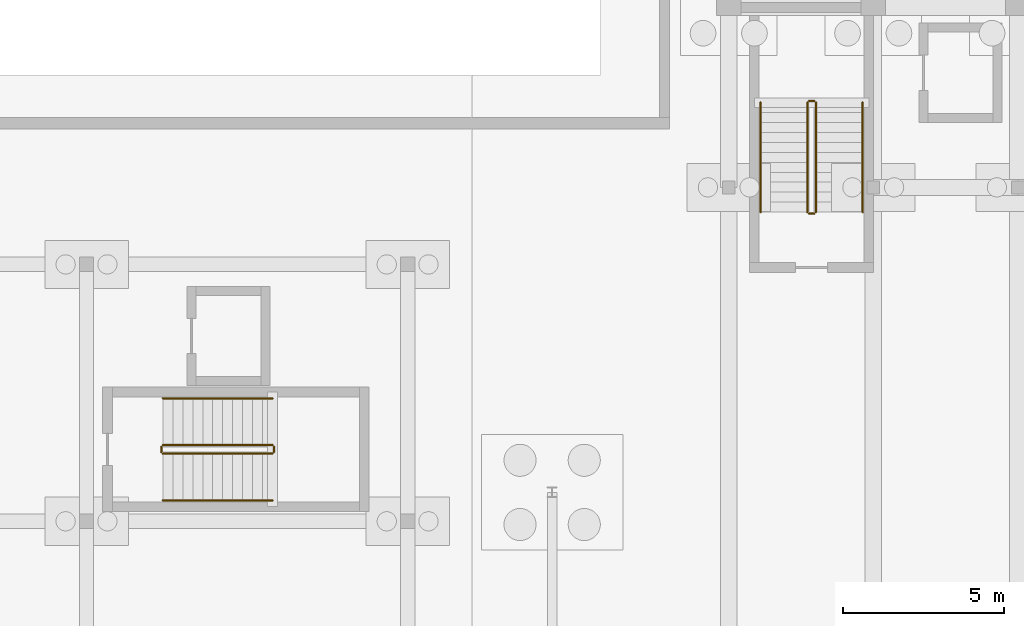
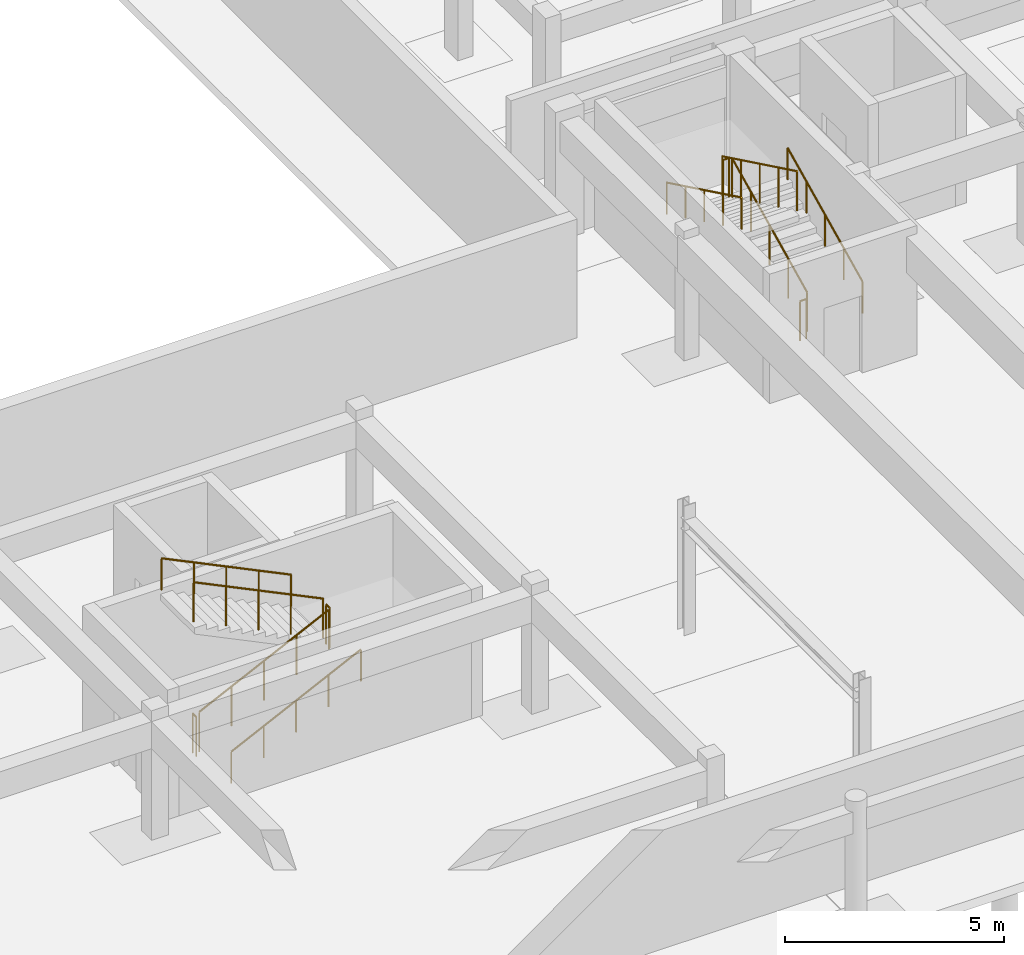
# One storey, part 25 of 32: 12 railings.
"""IFC4 building model written with IfcOpenShell, lengths in metres."""

from ifc_helpers import new_model, si_unit, direction, frame, origin, origin_2d, place, context, subcontext, project, spatial, circle, extrude, material, type_object, element, save


model = new_model("IFC4")

# Units and contexts
model_context = context("Model", 3, precision=1e-05, world=origin(), true_north=direction((0.0, 1.0)))
body_context = subcontext(model_context, "Body", "Model", "MODEL_VIEW")
ifc_project = project(units=[si_unit("LENGTHUNIT", "METRE"), si_unit("AREAUNIT", "SQUARE_METRE"), si_unit("VOLUMEUNIT", "CUBIC_METRE"), si_unit("PLANEANGLEUNIT", "RADIAN"), si_unit("MASSUNIT", "GRAM", prefix="KILO")], contexts=[model_context])

# Site, building, storey
site_placement = place(None, origin())
site = spatial("IfcSite", under=ifc_project, at=site_placement, CompositionType="ELEMENT")
building_placement = place(site_placement, origin())
building = spatial("IfcBuilding", under=site, at=building_placement, Name="Zimvara Arc Housing Community", CompositionType="ELEMENT")
storey_placement = place(building_placement, frame((0.0, 0.0, -3.60009765625)))
storey = spatial("IfcBuildingStorey", under=building, at=storey_placement, Name="B1", CompositionType="ELEMENT", Elevation=-3.60009765625)

# Railings
ifc_material_1 = material(Name="Anodised Aluminium AW-6063", Category="aluminium")
railing_type_1 = type_object("IfcRailingType", Name="RLG-BAL-1120", PredefinedType="BALUSTRADE", material=ifc_material_1)
railing_1_placement = place(storey_placement, frame((70.7099609375, 21.22998046875, 0.150146484375)))
element("IfcRailing", 1, at=railing_1_placement, inside=storey, type_object=railing_type_1, Name="B1 ST-H1 stair guard 1", PredefinedType="BALUSTRADE", context=body_context, shape_type="SweptSolid", body=[
    extrude(circle(Radius=0.02392578125, at=origin_2d()), frame((0.0, 0.0, 1.09619140625), z_axis=(0.0, 0.900164957231, 0.435549135889), x_axis=(-1.0, 0.0, 0.0)), (0.0, 0.0, 1.0), 3.7880859375),
    extrude(circle(Radius=0.02099609375, at=origin_2d()), origin(), (0.0, 0.0, 1.0), 1.072021484375),
    extrude(circle(Radius=0.02099609375, at=origin_2d()), frame((0.0, 0.8525390625, 0.41259765625)), (0.0, 0.0, 1.0), 1.072021484375),
    extrude(circle(Radius=0.02099609375, at=origin_2d()), frame((0.0, 1.705078125, 0.824951171875)), (0.0, 0.0, 1.0), 1.072021484375),
    extrude(circle(Radius=0.02099609375, at=origin_2d()), frame((0.0, 2.557373046875, 1.2373046875)), (0.0, 0.0, 1.0), 1.072021484375),
    extrude(circle(Radius=0.02099609375, at=origin_2d()), frame((0.0, 3.409912109375, 1.64990234375)), (0.0, 0.0, 1.0), 1.072021484375),
])
railing_2_placement = place(storey_placement, frame((70.659912109375, 24.68994140625, 1.800048828125)))
element("IfcRailing", 2, at=railing_2_placement, inside=storey, type_object=railing_type_1, Name="B1 ST-H1 stair guard 2", PredefinedType="BALUSTRADE", context=body_context, shape_type="SweptSolid", body=[
    extrude(circle(Radius=0.02392578125, at=origin_2d()), frame((0.0, 0.0, 1.09619140625), z_axis=(-1.0, 0.0, 0.0), x_axis=(0.0, -1.0, 0.0)), (0.0, 0.0, 1.0), 0.159912109375),
    extrude(circle(Radius=0.02099609375, at=origin_2d()), origin(), (0.0, 0.0, 1.0), 1.072021484375),
    extrude(circle(Radius=0.02099609375, at=origin_2d()), frame((-0.159912109375, 0.0, 0.0)), (0.0, 0.0, 1.0), 1.072021484375),
])
railing_3_placement = place(storey_placement, frame((70.449951171875, 24.639892578125, 1.9501953125)))
element("IfcRailing", 3, at=railing_3_placement, inside=storey, type_object=railing_type_1, Name="B1 ST-H1 stair guard 3", PredefinedType="BALUSTRADE", context=body_context, shape_type="SweptSolid", body=[
    extrude(circle(Radius=0.02392578125, at=origin_2d()), frame((0.0, 0.0, 1.09619140625), z_axis=(0.0, -0.900164957231, 0.435549135889), x_axis=(1.0, 0.0, 0.0)), (0.0, 0.0, 1.0), 3.7880859375),
    extrude(circle(Radius=0.02099609375, at=origin_2d()), origin(), (0.0, 0.0, 1.0), 1.072021484375),
    extrude(circle(Radius=0.02099609375, at=origin_2d()), frame((0.0, -0.8525390625, 0.41259765625)), (0.0, 0.0, 1.0), 1.072021484375),
    extrude(circle(Radius=0.02099609375, at=origin_2d()), frame((0.0, -1.705078125, 0.824951171875)), (0.0, 0.0, 1.0), 1.072021484375),
    extrude(circle(Radius=0.02099609375, at=origin_2d()), frame((0.0, -2.557373046875, 1.2373046875)), (0.0, 0.0, 1.0), 1.072021484375),
    extrude(circle(Radius=0.02099609375, at=origin_2d()), frame((0.0, -3.409912109375, 1.64990234375)), (0.0, 0.0, 1.0), 1.072021484375),
])
railing_4_placement = place(storey_placement, frame((70.659912109375, 21.179931640625, 0.0)))
element("IfcRailing", 4, at=railing_4_placement, inside=storey, type_object=railing_type_1, Name="B1 ST-H1 stair guard 4", PredefinedType="BALUSTRADE", context=body_context, shape_type="SweptSolid", body=[
    extrude(circle(Radius=0.02392578125, at=origin_2d()), frame((0.0, 0.0, 1.09619140625), z_axis=(-1.0, 0.0, 0.0), x_axis=(0.0, -1.0, 0.0)), (0.0, 0.0, 1.0), 0.159912109375),
    extrude(circle(Radius=0.02099609375, at=origin_2d()), origin(), (0.0, 0.0, 1.0), 1.072021484375),
    extrude(circle(Radius=0.02099609375, at=origin_2d()), frame((-0.159912109375, 0.0, 0.0)), (0.0, 0.0, 1.0), 1.072021484375),
])
railing_5_placement = place(storey_placement, frame((50.3798828125, 13.7099609375, 0.150146484375)))
element("IfcRailing", 5, at=railing_5_placement, inside=storey, type_object=railing_type_1, Name="B1 ST-S1 stair guard 1", PredefinedType="BALUSTRADE", context=body_context, shape_type="SweptSolid", body=[
    extrude(circle(Radius=0.02392578125, at=origin_2d()), frame((0.0, 0.0, 1.09619140625), z_axis=(0.900177182417, 0.0, 0.435523868755), x_axis=(0.0, 1.0, 0.0)), (0.0, 0.0, 1.0), 3.788330078125),
    extrude(circle(Radius=0.02099609375, at=origin_2d()), origin(), (0.0, 0.0, 1.0), 1.072021484375),
    extrude(circle(Radius=0.02099609375, at=origin_2d()), frame((0.8525390625, 0.0, 0.41259765625)), (0.0, 0.0, 1.0), 1.072021484375),
    extrude(circle(Radius=0.02099609375, at=origin_2d()), frame((1.705078125, 0.0, 0.824951171875)), (0.0, 0.0, 1.0), 1.072021484375),
    extrude(circle(Radius=0.02099609375, at=origin_2d()), frame((2.5576171875, 0.0, 1.2373046875)), (0.0, 0.0, 1.0), 1.072021484375),
    extrude(circle(Radius=0.02099609375, at=origin_2d()), frame((3.41015625, 0.0, 1.64990234375)), (0.0, 0.0, 1.0), 1.072021484375),
])
railing_6_placement = place(storey_placement, frame((53.840087890625, 13.760009765625, 1.800048828125)))
element("IfcRailing", 6, at=railing_6_placement, inside=storey, type_object=railing_type_1, Name="B1 ST-S1 stair guard 2", PredefinedType="BALUSTRADE", context=body_context, shape_type="SweptSolid", body=[
    extrude(circle(Radius=0.02392578125, at=origin_2d()), frame((0.0, 0.0, 1.09619140625), z_axis=(0.0, 1.0, 0.0), x_axis=(-1.0, 0.0, 0.0)), (0.0, 0.0, 1.0), 0.159912109375),
    extrude(circle(Radius=0.02099609375, at=origin_2d()), origin(), (0.0, 0.0, 1.0), 1.072021484375),
    extrude(circle(Radius=0.02099609375, at=origin_2d()), frame((0.0, 0.159912109375, 0.0)), (0.0, 0.0, 1.0), 1.072021484375),
])
railing_7_placement = place(storey_placement, frame((53.7900390625, 13.969970703125, 1.9501953125)))
element("IfcRailing", 7, at=railing_7_placement, inside=storey, type_object=railing_type_1, Name="B1 ST-S1 stair guard 3", PredefinedType="BALUSTRADE", context=body_context, shape_type="SweptSolid", body=[
    extrude(circle(Radius=0.02392578125, at=origin_2d()), frame((0.0, 0.0, 1.09619140625), z_axis=(-0.900177182417, 0.0, 0.435523868755), x_axis=(0.0, -1.0, 0.0)), (0.0, 0.0, 1.0), 3.788330078125),
    extrude(circle(Radius=0.02099609375, at=origin_2d()), origin(), (0.0, 0.0, 1.0), 1.072021484375),
    extrude(circle(Radius=0.02099609375, at=origin_2d()), frame((-0.8525390625, 0.0, 0.41259765625)), (0.0, 0.0, 1.0), 1.072021484375),
    extrude(circle(Radius=0.02099609375, at=origin_2d()), frame((-1.705078125, 0.0, 0.824951171875)), (0.0, 0.0, 1.0), 1.072021484375),
    extrude(circle(Radius=0.02099609375, at=origin_2d()), frame((-2.5576171875, 0.0, 1.2373046875)), (0.0, 0.0, 1.0), 1.072021484375),
    extrude(circle(Radius=0.02099609375, at=origin_2d()), frame((-3.41015625, 0.0, 1.64990234375)), (0.0, 0.0, 1.0), 1.072021484375),
])
railing_8_placement = place(storey_placement, frame((50.330078125, 13.760009765625, 0.0)))
element("IfcRailing", 8, at=railing_8_placement, inside=storey, type_object=railing_type_1, Name="B1 ST-S1 stair guard 4", PredefinedType="BALUSTRADE", context=body_context, shape_type="SweptSolid", body=[
    extrude(circle(Radius=0.02392578125, at=origin_2d()), frame((0.0, 0.0, 1.09619140625), z_axis=(0.0, 1.0, 0.0), x_axis=(-1.0, 0.0, 0.0)), (0.0, 0.0, 1.0), 0.159912109375),
    extrude(circle(Radius=0.02099609375, at=origin_2d()), origin(), (0.0, 0.0, 1.0), 1.072021484375),
    extrude(circle(Radius=0.02099609375, at=origin_2d()), frame((0.0, 0.159912109375, 0.0)), (0.0, 0.0, 1.0), 1.072021484375),
])
ifc_material_2 = material(Name="Anodised Aluminium AW-6063", Category="aluminium")
railing_type_2 = type_object("IfcRailingType", Name="RLG-HND-900", PredefinedType="HANDRAIL", material=ifc_material_2)
railing_9_placement = place(storey_placement, frame((72.169921875, 21.22998046875, 0.150146484375)))
element("IfcRailing", 9, at=railing_9_placement, inside=storey, type_object=railing_type_2, Name="B1 ST-H1 stair handrail 1", PredefinedType="HANDRAIL", context=body_context, shape_type="SweptSolid", body=[
    extrude(circle(Radius=0.02392578125, at=origin_2d()), frame((0.0, 0.0, 0.8759765625), z_axis=(0.0, 0.900164957231, 0.435549135889), x_axis=(-1.0, 0.0, 0.0)), (0.0, 0.0, 1.0), 3.7880859375),
    extrude(circle(Radius=0.02099609375, at=origin_2d()), origin(), (0.0, 0.0, 1.0), 0.851806640625),
    extrude(circle(Radius=0.02099609375, at=origin_2d()), frame((0.0, 0.8525390625, 0.41259765625)), (0.0, 0.0, 1.0), 0.851806640625),
    extrude(circle(Radius=0.02099609375, at=origin_2d()), frame((0.0, 1.705078125, 0.824951171875)), (0.0, 0.0, 1.0), 0.851806640625),
    extrude(circle(Radius=0.02099609375, at=origin_2d()), frame((0.0, 2.557373046875, 1.2373046875)), (0.0, 0.0, 1.0), 0.851806640625),
    extrude(circle(Radius=0.02099609375, at=origin_2d()), frame((0.0, 3.409912109375, 1.64990234375)), (0.0, 0.0, 1.0), 0.851806640625),
])
railing_10_placement = place(storey_placement, frame((68.989990234375, 24.639892578125, 1.9501953125)))
element("IfcRailing", 10, at=railing_10_placement, inside=storey, type_object=railing_type_2, Name="B1 ST-H1 stair handrail 2", PredefinedType="HANDRAIL", context=body_context, shape_type="SweptSolid", body=[
    extrude(circle(Radius=0.02392578125, at=origin_2d()), frame((0.0, 0.0, 0.8759765625), z_axis=(0.0, -0.900164957231, 0.435549135889), x_axis=(1.0, 0.0, 0.0)), (0.0, 0.0, 1.0), 3.7880859375),
    extrude(circle(Radius=0.02099609375, at=origin_2d()), origin(), (0.0, 0.0, 1.0), 0.851806640625),
    extrude(circle(Radius=0.02099609375, at=origin_2d()), frame((0.0, -0.8525390625, 0.41259765625)), (0.0, 0.0, 1.0), 0.851806640625),
    extrude(circle(Radius=0.02099609375, at=origin_2d()), frame((0.0, -1.705078125, 0.824951171875)), (0.0, 0.0, 1.0), 0.851806640625),
    extrude(circle(Radius=0.02099609375, at=origin_2d()), frame((0.0, -2.557373046875, 1.2373046875)), (0.0, 0.0, 1.0), 0.851806640625),
    extrude(circle(Radius=0.02099609375, at=origin_2d()), frame((0.0, -3.409912109375, 1.64990234375)), (0.0, 0.0, 1.0), 0.851806640625),
])
railing_11_placement = place(storey_placement, frame((50.3798828125, 12.25, 0.150146484375)))
element("IfcRailing", 11, at=railing_11_placement, inside=storey, type_object=railing_type_2, Name="B1 ST-S1 stair handrail 1", PredefinedType="HANDRAIL", context=body_context, shape_type="SweptSolid", body=[
    extrude(circle(Radius=0.02392578125, at=origin_2d()), frame((0.0, 0.0, 0.8759765625), z_axis=(0.900177182417, 0.0, 0.435523868755), x_axis=(0.0, 1.0, 0.0)), (0.0, 0.0, 1.0), 3.788330078125),
    extrude(circle(Radius=0.02099609375, at=origin_2d()), origin(), (0.0, 0.0, 1.0), 0.851806640625),
    extrude(circle(Radius=0.02099609375, at=origin_2d()), frame((0.8525390625, 0.0, 0.41259765625)), (0.0, 0.0, 1.0), 0.851806640625),
    extrude(circle(Radius=0.02099609375, at=origin_2d()), frame((1.705078125, 0.0, 0.824951171875)), (0.0, 0.0, 1.0), 0.851806640625),
    extrude(circle(Radius=0.02099609375, at=origin_2d()), frame((2.5576171875, 0.0, 1.2373046875)), (0.0, 0.0, 1.0), 0.851806640625),
    extrude(circle(Radius=0.02099609375, at=origin_2d()), frame((3.41015625, 0.0, 1.64990234375)), (0.0, 0.0, 1.0), 0.851806640625),
])
railing_12_placement = place(storey_placement, frame((53.7900390625, 15.429931640625, 1.9501953125)))
element("IfcRailing", 12, at=railing_12_placement, inside=storey, type_object=railing_type_2, Name="B1 ST-S1 stair handrail 2", PredefinedType="HANDRAIL", context=body_context, shape_type="SweptSolid", body=[
    extrude(circle(Radius=0.02392578125, at=origin_2d()), frame((0.0, 0.0, 0.8759765625), z_axis=(-0.900177182417, 0.0, 0.435523868755), x_axis=(0.0, -1.0, 0.0)), (0.0, 0.0, 1.0), 3.788330078125),
    extrude(circle(Radius=0.02099609375, at=origin_2d()), origin(), (0.0, 0.0, 1.0), 0.851806640625),
    extrude(circle(Radius=0.02099609375, at=origin_2d()), frame((-0.8525390625, 0.0, 0.41259765625)), (0.0, 0.0, 1.0), 0.851806640625),
    extrude(circle(Radius=0.02099609375, at=origin_2d()), frame((-1.705078125, 0.0, 0.824951171875)), (0.0, 0.0, 1.0), 0.851806640625),
    extrude(circle(Radius=0.02099609375, at=origin_2d()), frame((-2.5576171875, 0.0, 1.2373046875)), (0.0, 0.0, 1.0), 0.851806640625),
    extrude(circle(Radius=0.02099609375, at=origin_2d()), frame((-3.41015625, 0.0, 1.64990234375)), (0.0, 0.0, 1.0), 0.851806640625),
])

save(model, "model.ifc")
